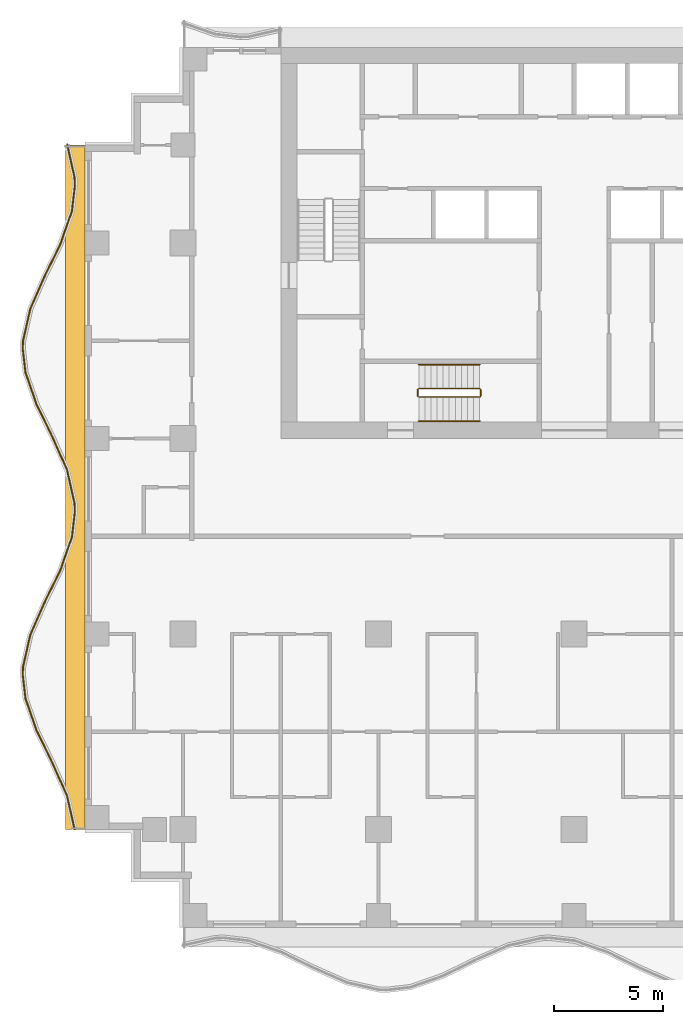
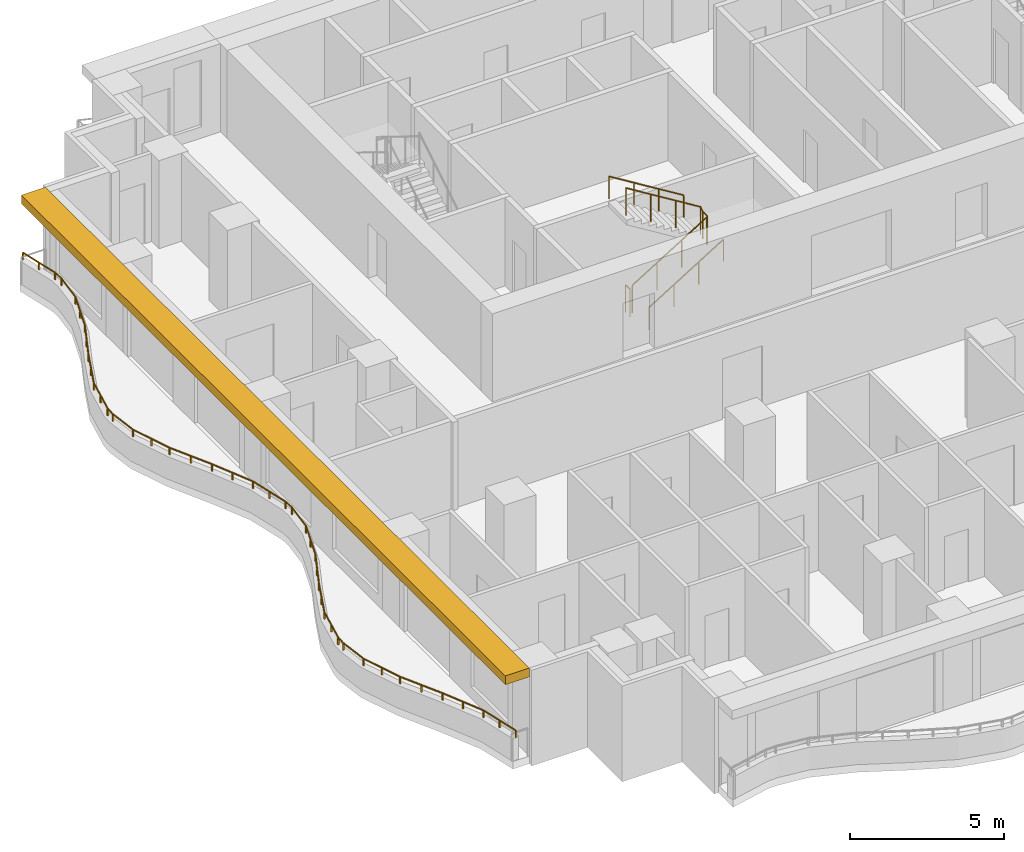
# One storey, part 8 of 10: 5 railings, 1 shading device.
"""IFC4 building model written with IfcOpenShell, lengths in metres."""

from ifc_helpers import new_model, si_unit, direction, frame, origin, origin_2d, place, context, subcontext, project, spatial, polyline, rectangle, circle, outline, extrude, material, layer, layer_set, type_object, element, save


model = new_model("IFC4")

# Units and contexts
model_context = context("Model", 3, precision=1e-05, world=origin(), true_north=direction((0.0, 1.0)))
body_context = subcontext(model_context, "Body", "Model", "MODEL_VIEW")
ifc_project = project(units=[si_unit("LENGTHUNIT", "METRE"), si_unit("AREAUNIT", "SQUARE_METRE"), si_unit("VOLUMEUNIT", "CUBIC_METRE"), si_unit("PLANEANGLEUNIT", "RADIAN"), si_unit("MASSUNIT", "GRAM", prefix="KILO")], contexts=[model_context])

# Site, building, storey
site_placement = place(None, origin())
site = spatial("IfcSite", under=ifc_project, at=site_placement, CompositionType="ELEMENT")
building_placement = place(site_placement, origin())
building = spatial("IfcBuilding", under=site, at=building_placement, Name="Orbiselva Terraces", CompositionType="ELEMENT")
storey_placement = place(building_placement, frame((0.0, 0.0, 163.0)))
storey = spatial("IfcBuildingStorey", under=building, at=storey_placement, Name="L41", CompositionType="ELEMENT", Elevation=163.0)

# Railings
ifc_material_1 = material(Name="Stainless steel", Category="steel")
railing_type_1 = type_object("IfcRailingType", Name="CORE-GUARD-1100", PredefinedType="GUARDRAIL", material=ifc_material_1)
railing_1_placement = place(storey_placement, frame((-7.15, 6.4, 0.172727)))
element("IfcRailing", 1, at=railing_1_placement, inside=storey, type_object=railing_type_1, Name="L41 S3 stair guard 1", PredefinedType="GUARDRAIL", context=body_context, shape_type="SweptSolid", body=[
    extrude(circle(Radius=0.024, at=origin_2d()), frame((0.0, 0.0, 1.081), z_axis=(0.851088519012, 0.0, 0.52502222125), x_axis=(0.0, 1.0, 0.0)), (0.0, 0.0, 1.0), 3.289905),
    extrude(circle(Radius=0.024, at=origin_2d()), frame((2.8, 0.0, 2.808273), z_axis=(0.707106781187, 0.707106781187, 0.0), x_axis=(-0.707106781187, 0.707106781187, 0.0)), (0.0, 0.0, 1.0), 0.070711),
    extrude(circle(Radius=0.024, at=origin_2d()), frame((2.85, 0.05, 2.808273), z_axis=(0.0, 1.0, 0.0), x_axis=(-1.0, 0.0, 0.0)), (0.0, 0.0, 1.0), 0.3),
    extrude(circle(Radius=0.024, at=origin_2d()), frame((2.85, 0.35, 2.808273), z_axis=(-0.267894925557, 0.267894925557, 0.925453736133), x_axis=(-0.707106781187, -0.707106781187, 0.0)), (0.0, 0.0, 1.0), 0.18664),
    extrude(circle(Radius=0.024, at=origin_2d()), frame((2.8, 0.4, 2.981), z_axis=(-0.851088519012, 0.0, 0.52502222125), x_axis=(0.0, -1.0, 0.0)), (0.0, 0.0, 1.0), 3.289905),
    extrude(circle(Radius=0.021, at=origin_2d()), origin(), (0.0, 0.0, 1.0), 1.057),
    extrude(circle(Radius=0.021, at=origin_2d()), frame((0.933333, 0.0, 0.575758)), (0.0, 0.0, 1.0), 1.057),
    extrude(circle(Radius=0.021, at=origin_2d()), frame((1.866667, 0.0, 1.151515)), (0.0, 0.0, 1.0), 1.057),
    extrude(circle(Radius=0.021, at=origin_2d()), frame((2.8, 0.0, 1.727273)), (0.0, 0.0, 1.0), 1.057),
    extrude(circle(Radius=0.021, at=origin_2d()), frame((2.85, 0.05, 1.727273)), (0.0, 0.0, 1.0), 1.057),
    extrude(circle(Radius=0.021, at=origin_2d()), frame((2.85, 0.35, 1.727273)), (0.0, 0.0, 1.0), 1.057),
    extrude(circle(Radius=0.021, at=origin_2d()), frame((2.8, 0.4, 1.9)), (0.0, 0.0, 1.0), 1.057),
    extrude(circle(Radius=0.021, at=origin_2d()), frame((1.866667, 0.4, 2.475758)), (0.0, 0.0, 1.0), 1.057),
    extrude(circle(Radius=0.021, at=origin_2d()), frame((0.933333, 0.4, 3.051515)), (0.0, 0.0, 1.0), 1.057),
    extrude(circle(Radius=0.021, at=origin_2d()), frame((0.0, 0.4, 3.627273)), (0.0, 0.0, 1.0), 1.057),
])
railing_2_placement = place(storey_placement, frame((-7.2, 6.45, 0.0)))
element("IfcRailing", 2, at=railing_2_placement, inside=storey, type_object=railing_type_1, Name="L41 S3 stair guard 2", PredefinedType="GUARDRAIL", context=body_context, shape_type="SweptSolid", body=[
    extrude(circle(Radius=0.024, at=origin_2d()), frame((0.0, 0.0, 1.081), z_axis=(0.0, 1.0, 0.0), x_axis=(-1.0, 0.0, 0.0)), (0.0, 0.0, 1.0), 0.3),
    extrude(circle(Radius=0.021, at=origin_2d()), origin(), (0.0, 0.0, 1.0), 1.057),
    extrude(circle(Radius=0.021, at=origin_2d()), frame((0.0, 0.3, 0.0)), (0.0, 0.0, 1.0), 1.057),
])
railing_type_2 = type_object("IfcRailingType", Name="CORE-HANDRAIL-900", PredefinedType="HANDRAIL", material=ifc_material_1)
railing_3_placement = place(storey_placement, frame((-7.15, 5.3, 0.172727)))
element("IfcRailing", 3, at=railing_3_placement, inside=storey, type_object=railing_type_2, Name="L41 S3 stair handrail 1", PredefinedType="HANDRAIL", context=body_context, shape_type="SweptSolid", body=[
    extrude(circle(Radius=0.024, at=origin_2d()), frame((0.0, 0.0, 0.876), z_axis=(0.851088519012, 0.0, 0.52502222125), x_axis=(0.0, 1.0, 0.0)), (0.0, 0.0, 1.0), 3.289905),
    extrude(circle(Radius=0.021, at=origin_2d()), origin(), (0.0, 0.0, 1.0), 0.852),
    extrude(circle(Radius=0.021, at=origin_2d()), frame((0.933333, 0.0, 0.575758)), (0.0, 0.0, 1.0), 0.852),
    extrude(circle(Radius=0.021, at=origin_2d()), frame((1.866667, 0.0, 1.151515)), (0.0, 0.0, 1.0), 0.852),
    extrude(circle(Radius=0.021, at=origin_2d()), frame((2.8, 0.0, 1.727273)), (0.0, 0.0, 1.0), 0.852),
])
railing_4_placement = place(storey_placement, frame((-4.35, 7.9, 2.072727)))
element("IfcRailing", 4, at=railing_4_placement, inside=storey, type_object=railing_type_2, Name="L41 S3 stair handrail 2", PredefinedType="HANDRAIL", context=body_context, shape_type="SweptSolid", body=[
    extrude(circle(Radius=0.024, at=origin_2d()), frame((0.0, 0.0, 0.876), z_axis=(-0.851088519012, 0.0, 0.52502222125), x_axis=(0.0, -1.0, 0.0)), (0.0, 0.0, 1.0), 3.289905),
    extrude(circle(Radius=0.021, at=origin_2d()), origin(), (0.0, 0.0, 1.0), 0.852),
    extrude(circle(Radius=0.021, at=origin_2d()), frame((-0.933333, 0.0, 0.575758)), (0.0, 0.0, 1.0), 0.852),
    extrude(circle(Radius=0.021, at=origin_2d()), frame((-1.866667, 0.0, 1.151515)), (0.0, 0.0, 1.0), 0.852),
    extrude(circle(Radius=0.021, at=origin_2d()), frame((-2.8, 0.0, 1.727273)), (0.0, 0.0, 1.0), 0.852),
])
ifc_material_2 = material(Name="Bonded two-ply safety glass balustrade, stainless steel posts", Category="steel")
railing_type_3 = type_object("IfcRailingType", Name="ENV-BALUSTRADE-1200", PredefinedType="BALUSTRADE", material=ifc_material_2)
railing_5_placement = place(storey_placement, frame((-23.329507, 18.027377, 0.9)))
element("IfcRailing", 5, at=railing_5_placement, inside=storey, type_object=railing_type_3, Name="Balcony balustrade L41 W", PredefinedType="BALUSTRADE", context=body_context, shape_type="SweptSolid", body=[
    extrude(outline(polyline([(0.028868, 0.0), (0.014434, 0.025), (-0.014434, 0.025), (-0.028868, 0.0), (-0.014434, -0.025), (0.014434, -0.025), (0.028868, 0.0)])), frame((0.0, 0.0, 0.275), z_axis=(0.219015484484, -0.97572138316, 0.0), x_axis=(0.97572138316, 0.219015484484, 0.0)), (0.0, 0.0, 1.0), 1.548694),
    extrude(outline(polyline([(0.028868, 0.0), (0.014434, 0.025), (-0.014434, 0.025), (-0.028868, 0.0), (-0.014434, -0.025), (0.014434, -0.025), (0.028868, 0.0)])), frame((0.339188, -1.511094, 0.275), z_axis=(0.03936915532, -0.999224734286, 0.0), x_axis=(0.999224734286, 0.03936915532, 0.0)), (0.0, 0.0, 1.0), 0.396376),
    extrude(outline(polyline([(0.028868, 0.0), (0.014434, 0.025), (-0.014434, 0.025), (-0.028868, 0.0), (-0.014434, -0.025), (0.014434, -0.025), (0.028868, 0.0)])), frame((0.354793, -1.907163, 0.275), z_axis=(-0.115482182324, -0.993309551734, 0.0), x_axis=(0.993309551734, -0.115482182324, 0.0)), (0.0, 0.0, 1.0), 1.156135),
    extrude(outline(polyline([(0.028868, 0.0), (0.014434, 0.025), (-0.014434, 0.025), (-0.028868, 0.0), (-0.014434, -0.025), (0.014434, -0.025), (0.028868, 0.0)])), frame((0.22128, -3.055563, 0.275), z_axis=(-0.330024597479, -0.943972332783, 0.0), x_axis=(0.943972332783, -0.330024597479, 0.0)), (0.0, 0.0, 1.0), 1.610253),
    extrude(outline(polyline([(0.028868, 0.0), (0.014434, 0.025), (-0.014434, 0.025), (-0.028868, 0.0), (-0.014434, -0.025), (0.014434, -0.025), (0.028868, 0.0)])), frame((-0.310143, -4.575597, 0.275), z_axis=(-0.438812048596, -0.898578870221, 0.0), x_axis=(0.898578870221, -0.438812048596, 0.0)), (0.0, 0.0, 1.0), 1.674225),
    extrude(outline(polyline([(0.028868, 0.0), (0.014434, 0.025), (-0.014434, 0.025), (-0.028868, 0.0), (-0.014434, -0.025), (0.014434, -0.025), (0.028868, 0.0)])), frame((-1.044813, -6.08002, 0.275), z_axis=(-0.403151245402, -0.915133363686, 0.0), x_axis=(0.915133363686, -0.403151245402, 0.0)), (0.0, 0.0, 1.0), 1.624475),
    extrude(outline(polyline([(0.028868, 0.0), (0.014434, 0.025), (-0.014434, 0.025), (-0.028868, 0.0), (-0.014434, -0.025), (0.014434, -0.025), (0.028868, 0.0)])), frame((-1.699722, -7.566631, 0.275), z_axis=(-0.219015740235, -0.975721325753, 0.0), x_axis=(0.975721325753, -0.219015740235, 0.0)), (0.0, 0.0, 1.0), 1.513782),
    extrude(outline(polyline([(0.028868, 0.0), (0.014434, 0.025), (-0.014434, 0.025), (-0.028868, 0.0), (-0.014434, -0.025), (0.014434, -0.025), (0.028868, 0.0)])), frame((-2.031264, -9.04366, 0.275), z_axis=(-0.039364150694, -0.999224931454, 0.0), x_axis=(0.999224931454, -0.039364150694, 0.0)), (0.0, 0.0, 1.0), 0.354206),
    extrude(outline(polyline([(0.028868, 0.0), (0.014434, 0.025), (-0.014434, 0.025), (-0.028868, 0.0), (-0.014434, -0.025), (0.014434, -0.025), (0.028868, 0.0)])), frame((-2.045207, -9.397591, 0.275), z_axis=(0.115481264762, -0.993309658409, 0.0), x_axis=(0.993309658409, 0.115481264762, 0.0)), (0.0, 0.0, 1.0), 1.10902),
    extrude(outline(polyline([(0.028868, 0.0), (0.014434, 0.025), (-0.014434, 0.025), (-0.028868, 0.0), (-0.014434, -0.025), (0.014434, -0.025), (0.028868, 0.0)])), frame((-1.917136, -10.499191, 0.275), z_axis=(0.330024754707, -0.943972277814, 0.0), x_axis=(0.943972277814, 0.330024754707, 0.0)), (0.0, 0.0, 1.0), 1.567807),
    extrude(outline(polyline([(0.028868, 0.0), (0.014434, 0.025), (-0.014434, 0.025), (-0.028868, 0.0), (-0.014434, -0.025), (0.014434, -0.025), (0.028868, 0.0)])), frame((-1.399721, -11.979157, 0.275), z_axis=(0.438811978768, -0.89857890432, 0.0), x_axis=(0.89857890432, 0.438811978768, 0.0)), (0.0, 0.0, 1.0), 1.66438),
    extrude(outline(polyline([(0.028868, 0.0), (0.014434, 0.025), (-0.014434, 0.025), (-0.028868, 0.0), (-0.014434, -0.025), (0.014434, -0.025), (0.028868, 0.0)])), frame((-0.669371, -13.474734, 0.275), z_axis=(0.403150874148, -0.915133527237, 0.0), x_axis=(0.915133527237, 0.403150874148, 0.0)), (0.0, 0.0, 1.0), 1.653736),
    extrude(outline(polyline([(0.028868, 0.0), (0.014434, 0.025), (-0.014434, 0.025), (-0.028868, 0.0), (-0.014434, -0.025), (0.014434, -0.025), (0.028868, 0.0)])), frame((-0.002666, -14.988123, 0.275), z_axis=(0.219015500924, -0.97572137947, 0.0), x_axis=(0.97572137947, 0.219015500924, 0.0)), (0.0, 0.0, 1.0), 1.560867),
    extrude(outline(polyline([(0.028868, 0.0), (0.014434, 0.025), (-0.014434, 0.025), (-0.028868, 0.0), (-0.014434, -0.025), (0.014434, -0.025), (0.028868, 0.0)])), frame((0.339188, -16.511094, 0.275), z_axis=(0.03936915532, -0.999224734286, 0.0), x_axis=(0.999224734286, 0.03936915532, 0.0)), (0.0, 0.0, 1.0), 0.396376),
    extrude(outline(polyline([(0.028868, 0.0), (0.014434, 0.025), (-0.014434, 0.025), (-0.028868, 0.0), (-0.014434, -0.025), (0.014434, -0.025), (0.028868, 0.0)])), frame((0.354793, -16.907163, 0.275), z_axis=(-0.115482182324, -0.993309551734, 0.0), x_axis=(0.993309551734, -0.115482182324, 0.0)), (0.0, 0.0, 1.0), 1.156135),
    extrude(outline(polyline([(0.028868, 0.0), (0.014434, 0.025), (-0.014434, 0.025), (-0.028868, 0.0), (-0.014434, -0.025), (0.014434, -0.025), (0.028868, 0.0)])), frame((0.22128, -18.055563, 0.275), z_axis=(-0.330024597479, -0.943972332783, 0.0), x_axis=(0.943972332783, -0.330024597479, 0.0)), (0.0, 0.0, 1.0), 1.610253),
    extrude(outline(polyline([(0.028868, 0.0), (0.014434, 0.025), (-0.014434, 0.025), (-0.028868, 0.0), (-0.014434, -0.025), (0.014434, -0.025), (0.028868, 0.0)])), frame((-0.310143, -19.575597, 0.275), z_axis=(-0.438812048596, -0.898578870221, 0.0), x_axis=(0.898578870221, -0.438812048596, 0.0)), (0.0, 0.0, 1.0), 1.674225),
    extrude(outline(polyline([(0.028868, 0.0), (0.014434, 0.025), (-0.014434, 0.025), (-0.028868, 0.0), (-0.014434, -0.025), (0.014434, -0.025), (0.028868, 0.0)])), frame((-1.044813, -21.08002, 0.275), z_axis=(-0.403151245402, -0.915133363686, 0.0), x_axis=(0.915133363686, -0.403151245402, 0.0)), (0.0, 0.0, 1.0), 1.624475),
    extrude(outline(polyline([(0.028868, 0.0), (0.014434, 0.025), (-0.014434, 0.025), (-0.028868, 0.0), (-0.014434, -0.025), (0.014434, -0.025), (0.028868, 0.0)])), frame((-1.699722, -22.566631, 0.275), z_axis=(-0.219015740235, -0.975721325753, 0.0), x_axis=(0.975721325753, -0.219015740235, 0.0)), (0.0, 0.0, 1.0), 1.513782),
    extrude(outline(polyline([(0.028868, 0.0), (0.014434, 0.025), (-0.014434, 0.025), (-0.028868, 0.0), (-0.014434, -0.025), (0.014434, -0.025), (0.028868, 0.0)])), frame((-2.031264, -24.04366, 0.275), z_axis=(-0.039364150694, -0.999224931454, 0.0), x_axis=(0.999224931454, -0.039364150694, 0.0)), (0.0, 0.0, 1.0), 0.354206),
    extrude(outline(polyline([(0.028868, 0.0), (0.014434, 0.025), (-0.014434, 0.025), (-0.028868, 0.0), (-0.014434, -0.025), (0.014434, -0.025), (0.028868, 0.0)])), frame((-2.045207, -24.397591, 0.275), z_axis=(0.115481264762, -0.993309658409, 0.0), x_axis=(0.993309658409, 0.115481264762, 0.0)), (0.0, 0.0, 1.0), 1.10902),
    extrude(outline(polyline([(0.028868, 0.0), (0.014434, 0.025), (-0.014434, 0.025), (-0.028868, 0.0), (-0.014434, -0.025), (0.014434, -0.025), (0.028868, 0.0)])), frame((-1.917136, -25.499191, 0.275), z_axis=(0.330024754707, -0.943972277814, 0.0), x_axis=(0.943972277814, 0.330024754707, 0.0)), (0.0, 0.0, 1.0), 1.567807),
    extrude(outline(polyline([(0.028868, 0.0), (0.014434, 0.025), (-0.014434, 0.025), (-0.028868, 0.0), (-0.014434, -0.025), (0.014434, -0.025), (0.028868, 0.0)])), frame((-1.399721, -26.979157, 0.275), z_axis=(0.438811978768, -0.89857890432, 0.0), x_axis=(0.89857890432, 0.438811978768, 0.0)), (0.0, 0.0, 1.0), 1.66438),
    extrude(outline(polyline([(0.028868, 0.0), (0.014434, 0.025), (-0.014434, 0.025), (-0.028868, 0.0), (-0.014434, -0.025), (0.014434, -0.025), (0.028868, 0.0)])), frame((-0.669371, -28.474734, 0.275), z_axis=(0.403150874148, -0.915133527237, 0.0), x_axis=(0.915133527237, 0.403150874148, 0.0)), (0.0, 0.0, 1.0), 1.653736),
    extrude(outline(polyline([(0.028868, 0.0), (0.014434, 0.025), (-0.014434, 0.025), (-0.028868, 0.0), (-0.014434, -0.025), (0.014434, -0.025), (0.028868, 0.0)])), frame((-0.002666, -29.988123, 0.275), z_axis=(0.219015634252, -0.975721349543, 0.0), x_axis=(0.975721349543, 0.219015634252, 0.0)), (0.0, 0.0, 1.0), 1.549497),
    extrude(rectangle(XDim=0.05, YDim=0.05, at=origin_2d()), origin(), (0.0, 0.0, 1.0), 0.25),
    extrude(rectangle(XDim=0.05, YDim=0.05, at=origin_2d()), frame((0.169594, -0.755547, 0.0)), (0.0, 0.0, 1.0), 0.25),
    extrude(rectangle(XDim=0.05, YDim=0.05, at=origin_2d()), frame((0.339188, -1.511094, 0.0)), (0.0, 0.0, 1.0), 0.25),
    extrude(rectangle(XDim=0.05, YDim=0.05, at=origin_2d()), frame((0.354793, -1.907163, 0.0)), (0.0, 0.0, 1.0), 0.25),
    extrude(rectangle(XDim=0.05, YDim=0.05, at=origin_2d()), frame((0.22128, -3.055563, 0.0)), (0.0, 0.0, 1.0), 0.25),
    extrude(rectangle(XDim=0.05, YDim=0.05, at=origin_2d()), frame((-0.044431, -3.81558, 0.0)), (0.0, 0.0, 1.0), 0.25),
    extrude(rectangle(XDim=0.05, YDim=0.05, at=origin_2d()), frame((-0.310143, -4.575597, 0.0)), (0.0, 0.0, 1.0), 0.25),
    extrude(rectangle(XDim=0.05, YDim=0.05, at=origin_2d()), frame((-0.677478, -5.327809, 0.0)), (0.0, 0.0, 1.0), 0.25),
    extrude(rectangle(XDim=0.05, YDim=0.05, at=origin_2d()), frame((-1.044813, -6.08002, 0.0)), (0.0, 0.0, 1.0), 0.25),
    extrude(rectangle(XDim=0.05, YDim=0.05, at=origin_2d()), frame((-1.372268, -6.823326, 0.0)), (0.0, 0.0, 1.0), 0.25),
    extrude(rectangle(XDim=0.05, YDim=0.05, at=origin_2d()), frame((-1.699722, -7.566631, 0.0)), (0.0, 0.0, 1.0), 0.25),
    extrude(rectangle(XDim=0.05, YDim=0.05, at=origin_2d()), frame((-1.865493, -8.305146, 0.0)), (0.0, 0.0, 1.0), 0.25),
    extrude(rectangle(XDim=0.05, YDim=0.05, at=origin_2d()), frame((-2.031264, -9.04366, 0.0)), (0.0, 0.0, 1.0), 0.25),
    extrude(rectangle(XDim=0.05, YDim=0.05, at=origin_2d()), frame((-2.045207, -9.397591, 0.0)), (0.0, 0.0, 1.0), 0.25),
    extrude(rectangle(XDim=0.05, YDim=0.05, at=origin_2d()), frame((-1.917136, -10.499191, 0.0)), (0.0, 0.0, 1.0), 0.25),
    extrude(rectangle(XDim=0.05, YDim=0.05, at=origin_2d()), frame((-1.658428, -11.239174, 0.0)), (0.0, 0.0, 1.0), 0.25),
    extrude(rectangle(XDim=0.05, YDim=0.05, at=origin_2d()), frame((-1.399721, -11.979157, 0.0)), (0.0, 0.0, 1.0), 0.25),
    extrude(rectangle(XDim=0.05, YDim=0.05, at=origin_2d()), frame((-1.034546, -12.726946, 0.0)), (0.0, 0.0, 1.0), 0.25),
    extrude(rectangle(XDim=0.05, YDim=0.05, at=origin_2d()), frame((-0.669371, -13.474734, 0.0)), (0.0, 0.0, 1.0), 0.25),
    extrude(rectangle(XDim=0.05, YDim=0.05, at=origin_2d()), frame((-0.336019, -14.231429, 0.0)), (0.0, 0.0, 1.0), 0.25),
    extrude(rectangle(XDim=0.05, YDim=0.05, at=origin_2d()), frame((-0.002666, -14.988123, 0.0)), (0.0, 0.0, 1.0), 0.25),
    extrude(rectangle(XDim=0.05, YDim=0.05, at=origin_2d()), frame((0.168261, -15.749608, 0.0)), (0.0, 0.0, 1.0), 0.25),
    extrude(rectangle(XDim=0.05, YDim=0.05, at=origin_2d()), frame((0.339188, -16.511094, 0.0)), (0.0, 0.0, 1.0), 0.25),
    extrude(rectangle(XDim=0.05, YDim=0.05, at=origin_2d()), frame((0.354793, -16.907163, 0.0)), (0.0, 0.0, 1.0), 0.25),
    extrude(rectangle(XDim=0.05, YDim=0.05, at=origin_2d()), frame((0.22128, -18.055563, 0.0)), (0.0, 0.0, 1.0), 0.25),
    extrude(rectangle(XDim=0.05, YDim=0.05, at=origin_2d()), frame((-0.044431, -18.81558, 0.0)), (0.0, 0.0, 1.0), 0.25),
    extrude(rectangle(XDim=0.05, YDim=0.05, at=origin_2d()), frame((-0.310143, -19.575597, 0.0)), (0.0, 0.0, 1.0), 0.25),
    extrude(rectangle(XDim=0.05, YDim=0.05, at=origin_2d()), frame((-0.677478, -20.327809, 0.0)), (0.0, 0.0, 1.0), 0.25),
    extrude(rectangle(XDim=0.05, YDim=0.05, at=origin_2d()), frame((-1.044813, -21.08002, 0.0)), (0.0, 0.0, 1.0), 0.25),
    extrude(rectangle(XDim=0.05, YDim=0.05, at=origin_2d()), frame((-1.372268, -21.823326, 0.0)), (0.0, 0.0, 1.0), 0.25),
    extrude(rectangle(XDim=0.05, YDim=0.05, at=origin_2d()), frame((-1.699722, -22.566631, 0.0)), (0.0, 0.0, 1.0), 0.25),
    extrude(rectangle(XDim=0.05, YDim=0.05, at=origin_2d()), frame((-1.865493, -23.305146, 0.0)), (0.0, 0.0, 1.0), 0.25),
    extrude(rectangle(XDim=0.05, YDim=0.05, at=origin_2d()), frame((-2.031264, -24.04366, 0.0)), (0.0, 0.0, 1.0), 0.25),
    extrude(rectangle(XDim=0.05, YDim=0.05, at=origin_2d()), frame((-2.045207, -24.397591, 0.0)), (0.0, 0.0, 1.0), 0.25),
    extrude(rectangle(XDim=0.05, YDim=0.05, at=origin_2d()), frame((-1.917136, -25.499191, 0.0)), (0.0, 0.0, 1.0), 0.25),
    extrude(rectangle(XDim=0.05, YDim=0.05, at=origin_2d()), frame((-1.658428, -26.239174, 0.0)), (0.0, 0.0, 1.0), 0.25),
    extrude(rectangle(XDim=0.05, YDim=0.05, at=origin_2d()), frame((-1.399721, -26.979157, 0.0)), (0.0, 0.0, 1.0), 0.25),
    extrude(rectangle(XDim=0.05, YDim=0.05, at=origin_2d()), frame((-1.034546, -27.726946, 0.0)), (0.0, 0.0, 1.0), 0.25),
    extrude(rectangle(XDim=0.05, YDim=0.05, at=origin_2d()), frame((-0.669371, -28.474734, 0.0)), (0.0, 0.0, 1.0), 0.25),
    extrude(rectangle(XDim=0.05, YDim=0.05, at=origin_2d()), frame((-0.336019, -29.231428, 0.0)), (0.0, 0.0, 1.0), 0.25),
    extrude(rectangle(XDim=0.05, YDim=0.05, at=origin_2d()), frame((-0.002666, -29.988123, 0.0)), (0.0, 0.0, 1.0), 0.25),
    extrude(rectangle(XDim=0.05, YDim=0.05, at=origin_2d()), frame((0.167016, -30.744062, 0.0)), (0.0, 0.0, 1.0), 0.25),
    extrude(rectangle(XDim=0.05, YDim=0.05, at=origin_2d()), frame((0.336698, -31.5, 0.0)), (0.0, 0.0, 1.0), 0.25),
])

# Shading device
ifc_material_3 = material(Name="Terracotta baguette sunshade", Category="masonry")
ifc_layer = layer(ifc_material_3, 0.35)
ifc_layer_set = layer_set([ifc_layer], Name="Terracotta baguette sunshade")
shading_device_type = type_object("IfcShadingDeviceType", Name="ENV-SUNSHADE-900x350", PredefinedType="USERDEFINED", material=ifc_layer_set)
shading_device_placement = place(storey_placement, frame((0.0, 0.0, 3.15)))
element("IfcShadingDevice", 6, at=shading_device_placement, inside=storey, type_object=shading_device_type, Name="Sunshade band L41 W", ObjectType="SUNSHADE", PredefinedType="USERDEFINED", context=body_context, shape_type="SweptSolid", body=[
    extrude(outline(polyline([(-23.4, 18.0), (-23.4, -13.5), (-22.5, -13.5), (-22.5, 18.0), (-23.4, 18.0)])), origin(), (0.0, 0.0, 1.0), 0.35),
])

save(model, "model.ifc")
